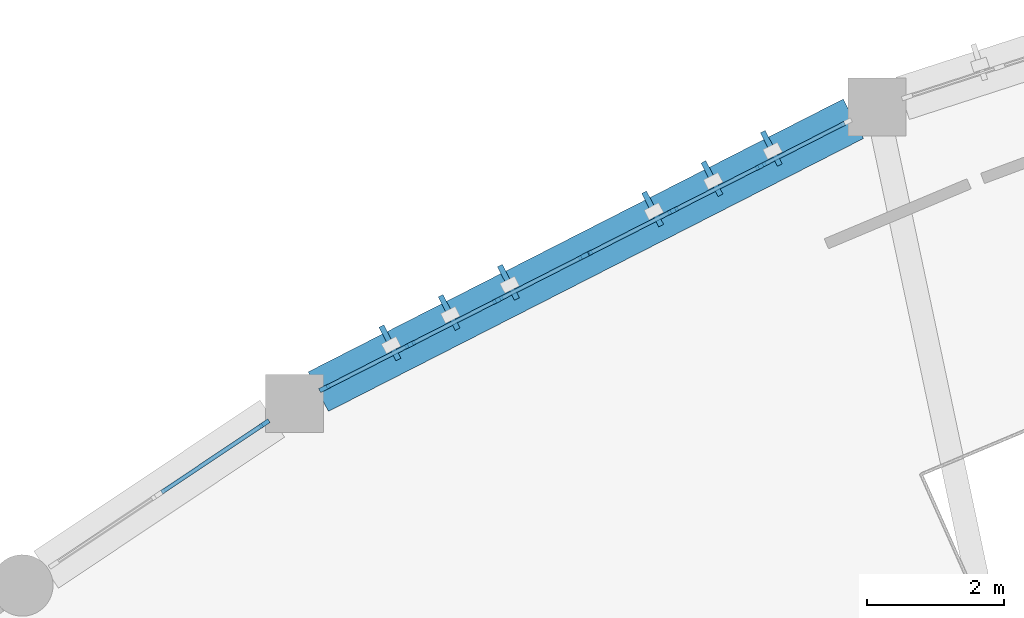
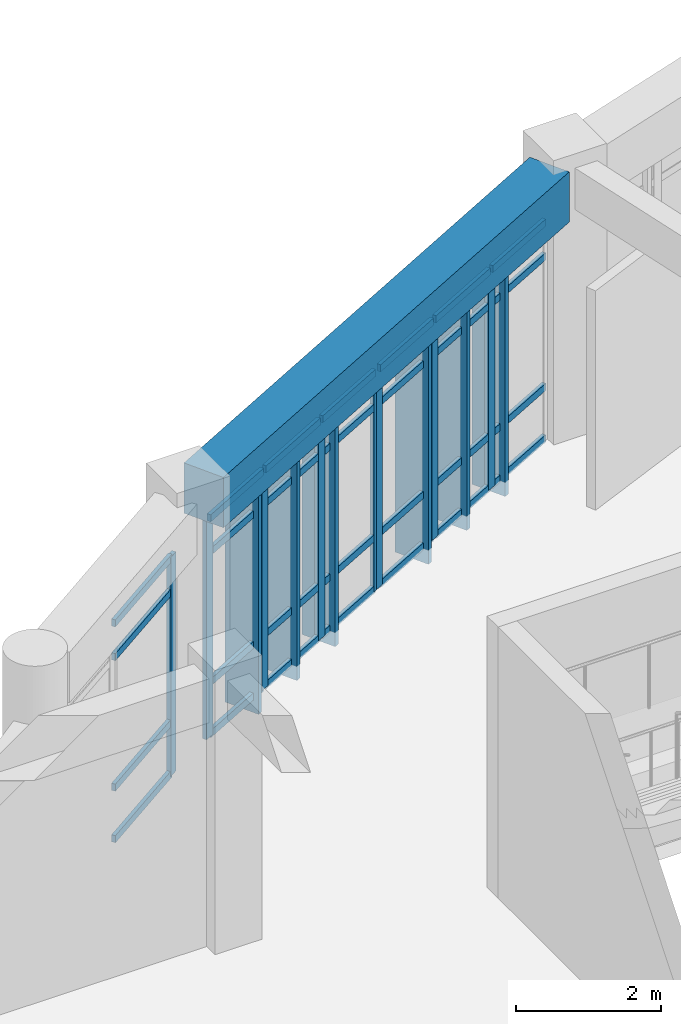
# One storey, part 10 of 68: 42 members, 1 beam, 3 elements without a shape of their own.
"""IFC4 building model written with IfcOpenShell, lengths in metres."""

from ifc_helpers import new_model, si_unit, direction, frame, origin, origin_2d, place, context, subcontext, project, spatial, rectangle, extrude, material, layer, layer_set, material_profile, profile_set, type_object, element, aggregate, save


model = new_model("IFC4")

# Units and contexts
model_context = context("Model", 3, precision=1e-05, world=origin(), true_north=direction((0.0, 1.0)))
body_context = subcontext(model_context, "Body", "Model", "MODEL_VIEW")
ifc_project = project(units=[si_unit("LENGTHUNIT", "METRE"), si_unit("AREAUNIT", "SQUARE_METRE"), si_unit("VOLUMEUNIT", "CUBIC_METRE"), si_unit("PLANEANGLEUNIT", "RADIAN"), si_unit("MASSUNIT", "GRAM", prefix="KILO")], contexts=[model_context])

# Site, building, storey
site_placement = place(None, origin())
site = spatial("IfcSite", under=ifc_project, at=site_placement, CompositionType="ELEMENT")
building_placement = place(site_placement, origin())
building = spatial("IfcBuilding", under=site, at=building_placement, Name="Miralva Faculty of Natural Sciences", CompositionType="ELEMENT")
storey_placement = place(building_placement, frame((0.0, 0.0, 5.39990234375)))
storey = spatial("IfcBuildingStorey", under=building, at=storey_placement, Name="L01", CompositionType="ELEMENT", Elevation=5.39990234375)

# Beam
ifc_material_1 = material(Name="Concrete C40/50", Category="concrete")
ifc_material_profile_1 = material_profile(ifc_material_1, rectangle(XDim=0.64990234375, YDim=0.85009765625, at=origin_2d()), Name="RC 650x850")
ifc_profile_set_1 = profile_set([ifc_material_profile_1], Name="Concrete C40/50")
beam_type = type_object("IfcBeamType", Name="BM-SP03", PredefinedType="SPANDREL", material=ifc_profile_set_1)
beam_placement = place(storey_placement, frame((66.311767578125, 35.182373046875, 4.135009765625), z_axis=(-0.890845120113, -0.454307133965, 0.0), x_axis=(0.454307133965, -0.890845120113, 0.0)))
element("IfcBeam", 1, at=beam_placement, inside=storey, type_object=beam_type, Name="Curved chord girder SHOUT L01-8", PredefinedType="SPANDREL", context=body_context, shape_type="SweptSolid", body=[
    extrude(rectangle(XDim=0.64990234375, YDim=0.85009765625, at=origin_2d()), origin(), (0.0, 0.0, 1.0), 8.793212890625),
])

# Curtain wall, member
ifc_material_2 = material(Name="Laminated solar-control glass", Category="glass")
ifc_layer = layer(ifc_material_2, 0.179931640625, Name="CW-ARC-L01")
ifc_layer_set = layer_set([ifc_layer], Name="Laminated solar-control glass")
curtain_wall_type = type_object("IfcCurtainWallType", Name="CW-ARC-L01", PredefinedType="USERDEFINED", material=ifc_layer_set)
curtain_wall_1_placement = place(storey_placement, origin())
curtain_wall_1 = element("IfcCurtainWall", 2, at=curtain_wall_1_placement, inside=storey, type_object=curtain_wall_type, Name="Curtain wall CW-02 L01-32", ObjectType="UNITISED CURTAIN WALL", PredefinedType="USERDEFINED")
ifc_material_3 = material(Name="Anodised aluminium", Category="aluminium")
ifc_material_profile_2 = material_profile(ifc_material_3, rectangle(XDim=0.06494140625, YDim=0.159912109375, at=origin_2d()), Name="MULLION 65x160")
ifc_profile_set_2 = profile_set([ifc_material_profile_2], Name="Anodised aluminium")
member_type_1 = type_object("IfcMemberType", Name="CW-M02", PredefinedType="MULLION", material=ifc_profile_set_2)
member_1_placement = place(storey_placement, frame((57.68896484375, 30.718017578125, 0.0), z_axis=(0.0, 0.0, 1.0), x_axis=(-0.555560018644, 0.831476437239, 0.0)))
member_1 = element("IfcMember", 3, at=member_1_placement, type_object=member_type_1, Name="CW-02 mullion 2", PredefinedType="MULLION", context=body_context, shape_type="SweptSolid", body=[
    extrude(rectangle(XDim=0.06494140625, YDim=0.159912109375, at=origin_2d()), origin(), (0.0, 0.0, 1.0), 3.705078125),
])

# Curtain wall, members
curtain_wall_2_placement = place(storey_placement, origin())
curtain_wall_2 = element("IfcCurtainWall", 4, at=curtain_wall_2_placement, inside=storey, type_object=curtain_wall_type, Name="Curtain wall CW-02 L01-33", ObjectType="UNITISED CURTAIN WALL", PredefinedType="USERDEFINED")
member_2_placement = place(storey_placement, frame((58.57080078125, 31.237060546875, 0.0), z_axis=(0.0, 0.0, 1.0), x_axis=(-0.453995464015, 0.891003994746, 0.0)))
member_2 = element("IfcMember", 5, at=member_2_placement, type_object=member_type_1, Name="CW-02 mullion 1", PredefinedType="MULLION", context=body_context, shape_type="SweptSolid", body=[
    extrude(rectangle(XDim=0.06494140625, YDim=0.159912109375, at=origin_2d()), origin(), (0.0, 0.0, 1.0), 3.705078125),
])
member_3_placement = place(storey_placement, frame((59.8251953125, 31.876220703125, 0.0), z_axis=(0.0, 0.0, 1.0), x_axis=(-0.453995464015, 0.891003994746, 0.0)))
member_3 = element("IfcMember", 6, at=member_3_placement, type_object=member_type_1, Name="CW-02 mullion 2", PredefinedType="MULLION", context=body_context, shape_type="SweptSolid", body=[
    extrude(rectangle(XDim=0.06494140625, YDim=0.159912109375, at=origin_2d()), origin(), (0.0, 0.0, 1.0), 3.705078125),
])
member_4_placement = place(storey_placement, frame((61.108642578125, 32.530029296875, 0.0), z_axis=(0.0, 0.0, 1.0), x_axis=(-0.453995464015, 0.891003994746, 0.0)))
member_4 = element("IfcMember", 7, at=member_4_placement, type_object=member_type_1, Name="CW-02 mullion 3", PredefinedType="MULLION", context=body_context, shape_type="SweptSolid", body=[
    extrude(rectangle(XDim=0.06494140625, YDim=0.159912109375, at=origin_2d()), origin(), (0.0, 0.0, 1.0), 3.705078125),
])
member_5_placement = place(storey_placement, frame((62.363037109375, 33.169189453125, 0.0), z_axis=(0.0, 0.0, 1.0), x_axis=(-0.453995464015, 0.891003994746, 0.0)))
member_5 = element("IfcMember", 8, at=member_5_placement, type_object=member_type_1, Name="CW-02 mullion 4", PredefinedType="MULLION", context=body_context, shape_type="SweptSolid", body=[
    extrude(rectangle(XDim=0.06494140625, YDim=0.159912109375, at=origin_2d()), origin(), (0.0, 0.0, 1.0), 3.705078125),
])

curtain_wall_3_placement = place(storey_placement, origin())
curtain_wall_3 = element("IfcCurtainWall", 9, at=curtain_wall_3_placement, inside=storey, type_object=curtain_wall_type, Name="Curtain wall CW-02 L01-34", ObjectType="UNITISED CURTAIN WALL", PredefinedType="USERDEFINED")
member_6_placement = place(storey_placement, frame((62.416259765625, 33.1962890625, 0.0), z_axis=(0.0, 0.0, 1.0), x_axis=(-0.453969065637, 0.891017445084, 0.0)))
member_6 = element("IfcMember", 10, at=member_6_placement, type_object=member_type_1, Name="CW-02 mullion 1", PredefinedType="MULLION", context=body_context, shape_type="SweptSolid", body=[
    extrude(rectangle(XDim=0.06494140625, YDim=0.159912109375, at=origin_2d()), origin(), (0.0, 0.0, 1.0), 3.705078125),
])
member_7_placement = place(storey_placement, frame((63.67236328125, 33.836181640625, 0.0), z_axis=(0.0, 0.0, 1.0), x_axis=(-0.453969065637, 0.891017445084, 0.0)))
member_7 = element("IfcMember", 11, at=member_7_placement, type_object=member_type_1, Name="CW-02 mullion 2", PredefinedType="MULLION", context=body_context, shape_type="SweptSolid", body=[
    extrude(rectangle(XDim=0.06494140625, YDim=0.159912109375, at=origin_2d()), origin(), (0.0, 0.0, 1.0), 3.705078125),
])
member_8_placement = place(storey_placement, frame((64.95703125, 34.490966796875, 0.0), z_axis=(0.0, 0.0, 1.0), x_axis=(-0.453969065637, 0.891017445084, 0.0)))
member_8 = element("IfcMember", 12, at=member_8_placement, type_object=member_type_1, Name="CW-02 mullion 3", PredefinedType="MULLION", context=body_context, shape_type="SweptSolid", body=[
    extrude(rectangle(XDim=0.06494140625, YDim=0.159912109375, at=origin_2d()), origin(), (0.0, 0.0, 1.0), 3.705078125),
])

# Member
ifc_material_profile_3 = material_profile(ifc_material_3, rectangle(XDim=0.06005859375, YDim=0.1201171875, at=origin_2d()), Name="TRANSOM 60x120")
ifc_profile_set_3 = profile_set([ifc_material_profile_3], Name="Anodised aluminium")
member_type_2 = type_object("IfcMemberType", Name="CW-T02", PredefinedType="USERDEFINED", material=ifc_profile_set_3)
member_9_placement = place(storey_placement, frame((56.18603515625, 29.7138671875, 0.030029296875), z_axis=(0.83147849915, 0.555556932683, 0.0), x_axis=(-0.555556932683, 0.83147849915, 0.0)))
member_9 = element("IfcMember", 13, at=member_9_placement, type_object=member_type_2, Name="CW-02 transom 1.1", ObjectType="TRANSOM", PredefinedType="USERDEFINED", context=body_context, shape_type="SweptSolid", body=[
    extrude(rectangle(XDim=0.06005859375, YDim=0.1201171875, at=origin_2d()), origin(), (0.0, 0.0, 1.0), 1.77490234375),
])

member_10_placement = place(storey_placement, frame((56.18603515625, 29.7138671875, 0.900146484375), z_axis=(0.83147849915, 0.555556932683, 0.0), x_axis=(-0.555556932683, 0.83147849915, 0.0)))
member_10 = element("IfcMember", 14, at=member_10_placement, type_object=member_type_2, Name="CW-02 transom 1.2", ObjectType="TRANSOM", PredefinedType="USERDEFINED", context=body_context, shape_type="SweptSolid", body=[
    extrude(rectangle(XDim=0.06005859375, YDim=0.1201171875, at=origin_2d()), origin(), (0.0, 0.0, 1.0), 1.77490234375),
])

member_11_placement = place(storey_placement, frame((56.18603515625, 29.7138671875, 3.10498046875), z_axis=(0.83147849915, 0.555556932683, 0.0), x_axis=(-0.555556932683, 0.83147849915, 0.0)))
member_11 = element("IfcMember", 15, at=member_11_placement, type_object=member_type_2, Name="CW-02 transom 1.3", ObjectType="TRANSOM", PredefinedType="USERDEFINED", context=body_context, shape_type="SweptSolid", body=[
    extrude(rectangle(XDim=0.06005859375, YDim=0.1201171875, at=origin_2d()), origin(), (0.0, 0.0, 1.0), 1.77490234375),
])

member_12_placement = place(storey_placement, frame((56.18603515625, 29.7138671875, 3.675048828125), z_axis=(0.83147849915, 0.555556932683, 0.0), x_axis=(-0.555556932683, 0.83147849915, 0.0)))
member_12 = element("IfcMember", 16, at=member_12_placement, type_object=member_type_2, Name="CW-02 transom 1.4", ObjectType="TRANSOM", PredefinedType="USERDEFINED", context=body_context, shape_type="SweptSolid", body=[
    extrude(rectangle(XDim=0.06005859375, YDim=0.1201171875, at=origin_2d()), origin(), (0.0, 0.0, 1.0), 1.77490234375),
])

aggregate(curtain_wall_1, [member_1, member_9, member_10, member_11, member_12])

member_13_placement = place(storey_placement, frame((58.599853515625, 31.251708984375, 0.030029296875), z_axis=(0.891020072129, 0.453963909428, 0.0), x_axis=(-0.453963909428, 0.891020072129, 0.0)))
member_13 = element("IfcMember", 17, at=member_13_placement, type_object=member_type_2, Name="CW-02 transom 1.1", ObjectType="TRANSOM", PredefinedType="USERDEFINED", context=body_context, shape_type="SweptSolid", body=[
    extrude(rectangle(XDim=0.06005859375, YDim=0.1201171875, at=origin_2d()), origin(), (0.0, 0.0, 1.0), 1.3427734375),
])

member_14_placement = place(storey_placement, frame((58.599853515625, 31.251708984375, 0.900146484375), z_axis=(0.891020072129, 0.453963909428, 0.0), x_axis=(-0.453963909428, 0.891020072129, 0.0)))
member_14 = element("IfcMember", 18, at=member_14_placement, type_object=member_type_2, Name="CW-02 transom 1.2", ObjectType="TRANSOM", PredefinedType="USERDEFINED", context=body_context, shape_type="SweptSolid", body=[
    extrude(rectangle(XDim=0.06005859375, YDim=0.1201171875, at=origin_2d()), origin(), (0.0, 0.0, 1.0), 1.3427734375),
])

member_15_placement = place(storey_placement, frame((58.599853515625, 31.251708984375, 3.10498046875), z_axis=(0.891020072129, 0.453963909428, 0.0), x_axis=(-0.453963909428, 0.891020072129, 0.0)))
member_15 = element("IfcMember", 19, at=member_15_placement, type_object=member_type_2, Name="CW-02 transom 1.3", ObjectType="TRANSOM", PredefinedType="USERDEFINED", context=body_context, shape_type="SweptSolid", body=[
    extrude(rectangle(XDim=0.06005859375, YDim=0.1201171875, at=origin_2d()), origin(), (0.0, 0.0, 1.0), 1.3427734375),
])

member_16_placement = place(storey_placement, frame((58.599853515625, 31.251708984375, 3.675048828125), z_axis=(0.891020072129, 0.453963909428, 0.0), x_axis=(-0.453963909428, 0.891020072129, 0.0)))
member_16 = element("IfcMember", 20, at=member_16_placement, type_object=member_type_2, Name="CW-02 transom 1.4", ObjectType="TRANSOM", PredefinedType="USERDEFINED", context=body_context, shape_type="SweptSolid", body=[
    extrude(rectangle(XDim=0.06005859375, YDim=0.1201171875, at=origin_2d()), origin(), (0.0, 0.0, 1.0), 1.3427734375),
])

member_17_placement = place(storey_placement, frame((59.854248046875, 31.890869140625, 0.030029296875), z_axis=(0.891028658075, 0.453947056923, 0.0), x_axis=(-0.453947056923, 0.891028658075, 0.0)))
member_17 = element("IfcMember", 21, at=member_17_placement, type_object=member_type_2, Name="CW-02 transom 2.1", ObjectType="TRANSOM", PredefinedType="USERDEFINED", context=body_context, shape_type="SweptSolid", body=[
    extrude(rectangle(XDim=0.06005859375, YDim=0.1201171875, at=origin_2d()), origin(), (0.0, 0.0, 1.0), 1.375244140625),
])

member_18_placement = place(storey_placement, frame((59.854248046875, 31.890869140625, 0.900146484375), z_axis=(0.891028658075, 0.453947056923, 0.0), x_axis=(-0.453947056923, 0.891028658075, 0.0)))
member_18 = element("IfcMember", 22, at=member_18_placement, type_object=member_type_2, Name="CW-02 transom 2.2", ObjectType="TRANSOM", PredefinedType="USERDEFINED", context=body_context, shape_type="SweptSolid", body=[
    extrude(rectangle(XDim=0.06005859375, YDim=0.1201171875, at=origin_2d()), origin(), (0.0, 0.0, 1.0), 1.375244140625),
])

member_19_placement = place(storey_placement, frame((59.854248046875, 31.890869140625, 3.10498046875), z_axis=(0.891028658075, 0.453947056923, 0.0), x_axis=(-0.453947056923, 0.891028658075, 0.0)))
member_19 = element("IfcMember", 23, at=member_19_placement, type_object=member_type_2, Name="CW-02 transom 2.3", ObjectType="TRANSOM", PredefinedType="USERDEFINED", context=body_context, shape_type="SweptSolid", body=[
    extrude(rectangle(XDim=0.06005859375, YDim=0.1201171875, at=origin_2d()), origin(), (0.0, 0.0, 1.0), 1.375244140625),
])

member_20_placement = place(storey_placement, frame((59.854248046875, 31.890869140625, 3.675048828125), z_axis=(0.891028658075, 0.453947056923, 0.0), x_axis=(-0.453947056923, 0.891028658075, 0.0)))
member_20 = element("IfcMember", 24, at=member_20_placement, type_object=member_type_2, Name="CW-02 transom 2.4", ObjectType="TRANSOM", PredefinedType="USERDEFINED", context=body_context, shape_type="SweptSolid", body=[
    extrude(rectangle(XDim=0.06005859375, YDim=0.1201171875, at=origin_2d()), origin(), (0.0, 0.0, 1.0), 1.375244140625),
])

member_21_placement = place(storey_placement, frame((61.137451171875, 32.544677734375, 0.030029296875), z_axis=(0.891020072129, 0.453963909428, 0.0), x_axis=(-0.453963909428, 0.891020072129, 0.0)))
member_21 = element("IfcMember", 25, at=member_21_placement, type_object=member_type_2, Name="CW-02 transom 3.1", ObjectType="TRANSOM", PredefinedType="USERDEFINED", context=body_context, shape_type="SweptSolid", body=[
    extrude(rectangle(XDim=0.06005859375, YDim=0.1201171875, at=origin_2d()), origin(), (0.0, 0.0, 1.0), 1.3427734375),
])

member_22_placement = place(storey_placement, frame((61.137451171875, 32.544677734375, 0.900146484375), z_axis=(0.891020072129, 0.453963909428, 0.0), x_axis=(-0.453963909428, 0.891020072129, 0.0)))
member_22 = element("IfcMember", 26, at=member_22_placement, type_object=member_type_2, Name="CW-02 transom 3.2", ObjectType="TRANSOM", PredefinedType="USERDEFINED", context=body_context, shape_type="SweptSolid", body=[
    extrude(rectangle(XDim=0.06005859375, YDim=0.1201171875, at=origin_2d()), origin(), (0.0, 0.0, 1.0), 1.3427734375),
])

member_23_placement = place(storey_placement, frame((61.137451171875, 32.544677734375, 3.10498046875), z_axis=(0.891020072129, 0.453963909428, 0.0), x_axis=(-0.453963909428, 0.891020072129, 0.0)))
member_23 = element("IfcMember", 27, at=member_23_placement, type_object=member_type_2, Name="CW-02 transom 3.3", ObjectType="TRANSOM", PredefinedType="USERDEFINED", context=body_context, shape_type="SweptSolid", body=[
    extrude(rectangle(XDim=0.06005859375, YDim=0.1201171875, at=origin_2d()), origin(), (0.0, 0.0, 1.0), 1.3427734375),
])

member_24_placement = place(storey_placement, frame((61.137451171875, 32.544677734375, 3.675048828125), z_axis=(0.891020072129, 0.453963909428, 0.0), x_axis=(-0.453963909428, 0.891020072129, 0.0)))
member_24 = element("IfcMember", 28, at=member_24_placement, type_object=member_type_2, Name="CW-02 transom 3.4", ObjectType="TRANSOM", PredefinedType="USERDEFINED", context=body_context, shape_type="SweptSolid", body=[
    extrude(rectangle(XDim=0.06005859375, YDim=0.1201171875, at=origin_2d()), origin(), (0.0, 0.0, 1.0), 1.3427734375),
])

aggregate(curtain_wall_2, [member_2, member_3, member_4, member_5, member_13, member_14, member_15, member_16, member_17, member_18, member_19, member_20, member_21, member_22, member_23, member_24])

member_25_placement = place(storey_placement, frame((62.4453125, 33.211181640625, 0.030029296875), z_axis=(0.891024253299, 0.45395570272, 0.0), x_axis=(-0.45395570272, 0.891024253299, 0.0)))
member_25 = element("IfcMember", 29, at=member_25_placement, type_object=member_type_2, Name="CW-02 transom 1.1", ObjectType="TRANSOM", PredefinedType="USERDEFINED", context=body_context, shape_type="SweptSolid", body=[
    extrude(rectangle(XDim=0.06005859375, YDim=0.1201171875, at=origin_2d()), origin(), (0.0, 0.0, 1.0), 1.344482421875),
])

member_26_placement = place(storey_placement, frame((62.4453125, 33.211181640625, 0.900146484375), z_axis=(0.891024253299, 0.45395570272, 0.0), x_axis=(-0.45395570272, 0.891024253299, 0.0)))
member_26 = element("IfcMember", 30, at=member_26_placement, type_object=member_type_2, Name="CW-02 transom 1.2", ObjectType="TRANSOM", PredefinedType="USERDEFINED", context=body_context, shape_type="SweptSolid", body=[
    extrude(rectangle(XDim=0.06005859375, YDim=0.1201171875, at=origin_2d()), origin(), (0.0, 0.0, 1.0), 1.344482421875),
])

member_27_placement = place(storey_placement, frame((62.4453125, 33.211181640625, 3.10498046875), z_axis=(0.891024253299, 0.45395570272, 0.0), x_axis=(-0.45395570272, 0.891024253299, 0.0)))
member_27 = element("IfcMember", 31, at=member_27_placement, type_object=member_type_2, Name="CW-02 transom 1.3", ObjectType="TRANSOM", PredefinedType="USERDEFINED", context=body_context, shape_type="SweptSolid", body=[
    extrude(rectangle(XDim=0.06005859375, YDim=0.1201171875, at=origin_2d()), origin(), (0.0, 0.0, 1.0), 1.344482421875),
])

member_28_placement = place(storey_placement, frame((62.4453125, 33.211181640625, 3.675048828125), z_axis=(0.891024253299, 0.45395570272, 0.0), x_axis=(-0.45395570272, 0.891024253299, 0.0)))
member_28 = element("IfcMember", 32, at=member_28_placement, type_object=member_type_2, Name="CW-02 transom 1.4", ObjectType="TRANSOM", PredefinedType="USERDEFINED", context=body_context, shape_type="SweptSolid", body=[
    extrude(rectangle(XDim=0.06005859375, YDim=0.1201171875, at=origin_2d()), origin(), (0.0, 0.0, 1.0), 1.344482421875),
])

member_29_placement = place(storey_placement, frame((63.701171875, 33.85107421875, 0.030029296875), z_axis=(0.891069260746, 0.453867351275, 0.0), x_axis=(-0.453867351275, 0.891069260746, 0.0)))
member_29 = element("IfcMember", 33, at=member_29_placement, type_object=member_type_2, Name="CW-02 transom 2.1", ObjectType="TRANSOM", PredefinedType="USERDEFINED", context=body_context, shape_type="SweptSolid", body=[
    extrude(rectangle(XDim=0.06005859375, YDim=0.1201171875, at=origin_2d()), origin(), (0.0, 0.0, 1.0), 1.376953125),
])

member_30_placement = place(storey_placement, frame((63.701171875, 33.85107421875, 0.900146484375), z_axis=(0.891069260746, 0.453867351275, 0.0), x_axis=(-0.453867351275, 0.891069260746, 0.0)))
member_30 = element("IfcMember", 34, at=member_30_placement, type_object=member_type_2, Name="CW-02 transom 2.2", ObjectType="TRANSOM", PredefinedType="USERDEFINED", context=body_context, shape_type="SweptSolid", body=[
    extrude(rectangle(XDim=0.06005859375, YDim=0.1201171875, at=origin_2d()), origin(), (0.0, 0.0, 1.0), 1.376953125),
])

member_31_placement = place(storey_placement, frame((63.701171875, 33.85107421875, 3.10498046875), z_axis=(0.891069260746, 0.453867351275, 0.0), x_axis=(-0.453867351275, 0.891069260746, 0.0)))
member_31 = element("IfcMember", 35, at=member_31_placement, type_object=member_type_2, Name="CW-02 transom 2.3", ObjectType="TRANSOM", PredefinedType="USERDEFINED", context=body_context, shape_type="SweptSolid", body=[
    extrude(rectangle(XDim=0.06005859375, YDim=0.1201171875, at=origin_2d()), origin(), (0.0, 0.0, 1.0), 1.376953125),
])

member_32_placement = place(storey_placement, frame((63.701171875, 33.85107421875, 3.675048828125), z_axis=(0.891069260746, 0.453867351275, 0.0), x_axis=(-0.453867351275, 0.891069260746, 0.0)))
member_32 = element("IfcMember", 36, at=member_32_placement, type_object=member_type_2, Name="CW-02 transom 2.4", ObjectType="TRANSOM", PredefinedType="USERDEFINED", context=body_context, shape_type="SweptSolid", body=[
    extrude(rectangle(XDim=0.06005859375, YDim=0.1201171875, at=origin_2d()), origin(), (0.0, 0.0, 1.0), 1.376953125),
])

member_33_placement = place(storey_placement, frame((64.986083984375, 34.505615234375, 0.030029296875), z_axis=(0.891024253299, 0.45395570272, 0.0), x_axis=(-0.45395570272, 0.891024253299, 0.0)))
member_33 = element("IfcMember", 37, at=member_33_placement, type_object=member_type_2, Name="CW-02 transom 3.1", ObjectType="TRANSOM", PredefinedType="USERDEFINED", context=body_context, shape_type="SweptSolid", body=[
    extrude(rectangle(XDim=0.06005859375, YDim=0.1201171875, at=origin_2d()), origin(), (0.0, 0.0, 1.0), 1.344482421875),
])

member_34_placement = place(storey_placement, frame((64.986083984375, 34.505615234375, 0.900146484375), z_axis=(0.891024253299, 0.45395570272, 0.0), x_axis=(-0.45395570272, 0.891024253299, 0.0)))
member_34 = element("IfcMember", 38, at=member_34_placement, type_object=member_type_2, Name="CW-02 transom 3.2", ObjectType="TRANSOM", PredefinedType="USERDEFINED", context=body_context, shape_type="SweptSolid", body=[
    extrude(rectangle(XDim=0.06005859375, YDim=0.1201171875, at=origin_2d()), origin(), (0.0, 0.0, 1.0), 1.344482421875),
])

member_35_placement = place(storey_placement, frame((64.986083984375, 34.505615234375, 3.10498046875), z_axis=(0.891024253299, 0.45395570272, 0.0), x_axis=(-0.45395570272, 0.891024253299, 0.0)))
member_35 = element("IfcMember", 39, at=member_35_placement, type_object=member_type_2, Name="CW-02 transom 3.3", ObjectType="TRANSOM", PredefinedType="USERDEFINED", context=body_context, shape_type="SweptSolid", body=[
    extrude(rectangle(XDim=0.06005859375, YDim=0.1201171875, at=origin_2d()), origin(), (0.0, 0.0, 1.0), 1.344482421875),
])

member_36_placement = place(storey_placement, frame((64.986083984375, 34.505615234375, 3.675048828125), z_axis=(0.891024253299, 0.45395570272, 0.0), x_axis=(-0.45395570272, 0.891024253299, 0.0)))
member_36 = element("IfcMember", 40, at=member_36_placement, type_object=member_type_2, Name="CW-02 transom 3.4", ObjectType="TRANSOM", PredefinedType="USERDEFINED", context=body_context, shape_type="SweptSolid", body=[
    extrude(rectangle(XDim=0.06005859375, YDim=0.1201171875, at=origin_2d()), origin(), (0.0, 0.0, 1.0), 1.344482421875),
])

aggregate(curtain_wall_3, [member_6, member_7, member_8, member_25, member_26, member_27, member_28, member_29, member_30, member_31, member_32, member_33, member_34, member_35, member_36])

# Members
ifc_material_profile_4 = material_profile(ifc_material_3, rectangle(XDim=0.080078125, YDim=0.550048828125, at=origin_2d()), Name="FIN 550x80")
ifc_profile_set_4 = profile_set([ifc_material_profile_4], Name="Anodised aluminium")
member_type_3 = type_object("IfcMemberType", Name="MEM-SF01", PredefinedType="USERDEFINED", material=ifc_profile_set_4)
for number, where, z_axis, x_axis, name in (
    (41, (59.526611328125, 31.903564453125, -0.239990234375), (0.0, 0.0, 1.0), (-0.891006524188, -0.45399049974, 0.0), "Solar shading fin SF-01 L01-1"),
    (42, (60.394287109375, 32.345703125, -0.239990234375), (0.0, 0.0, 1.0), (-0.891006524188, -0.45399049974, 0.0), "Solar shading fin SF-01 L01-2"),
    (43, (61.26171875, 32.78759765625, -0.239990234375), (0.0, 0.0, 1.0), (-0.891006524188, -0.45399049974, 0.0), "Solar shading fin SF-01 L01-3"),
    (44, (63.373046875, 33.86328125, -0.239990234375), (0.0, 0.0, 1.0), (-0.891006524188, -0.45399049974, 0.0), "Solar shading fin SF-01 L01-4"),
    (45, (64.2421875, 34.30615234375, -0.239990234375), (0.0, 0.0, 1.0), (-0.891006524188, -0.45399049974, 0.0), "Solar shading fin SF-01 L01-5"),
    (46, (65.111083984375, 34.748779296875, -0.239990234375), (0.0, 0.0, 1.0), (-0.891006524188, -0.45399049974, 0.0), "Solar shading fin SF-01 L01-6"),
):
    element("IfcMember", number, at=place(storey_placement, frame(where, z_axis=z_axis, x_axis=x_axis)), inside=storey, type_object=member_type_3, Name=name, ObjectType="SUNSHADE", PredefinedType="USERDEFINED", context=body_context, shape_type="SweptSolid", body=[
        extrude(rectangle(XDim=0.080078125, YDim=0.550048828125, at=origin_2d()), origin(), (0.0, 0.0, 1.0), 3.945068359375),
    ])

save(model, "model.ifc")
